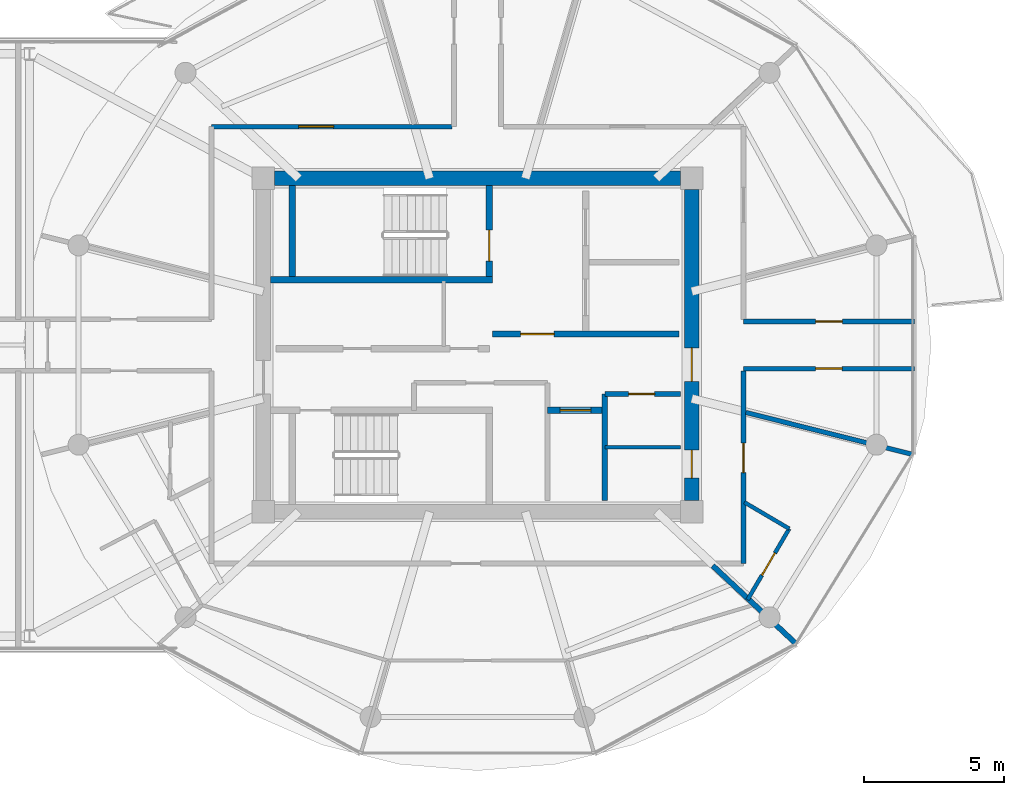
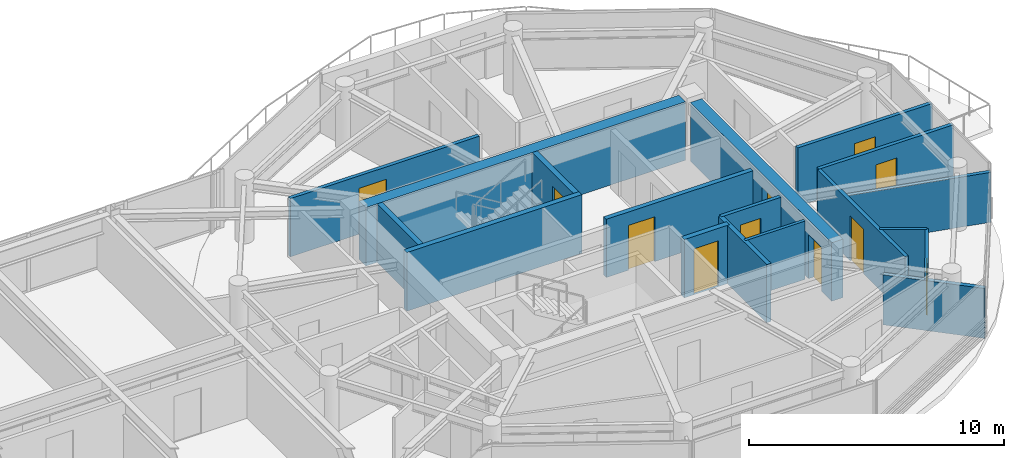
# One storey, part 18 of 23: 18 walls, 11 doors, 11 openings.
"""IFC4 building model written with IfcOpenShell, lengths in metres."""

from ifc_helpers import new_model, si_unit, direction, frame, frame_2d, origin, place, context, subcontext, project, spatial, rectangle, extrude, source, transform, mapped, material, layer, layer_set, type_object, type_shapes, element, fill, save


model = new_model("IFC4")

# Units and contexts
model_context = context("Model", 3, precision=1e-05, world=origin(), true_north=direction((0.0, 1.0)))
body_context = subcontext(model_context, "Body", "Model", "MODEL_VIEW")
ifc_project = project(units=[si_unit("LENGTHUNIT", "METRE"), si_unit("AREAUNIT", "SQUARE_METRE"), si_unit("VOLUMEUNIT", "CUBIC_METRE"), si_unit("PLANEANGLEUNIT", "RADIAN"), si_unit("MASSUNIT", "GRAM", prefix="KILO")], contexts=[model_context])

# Site, building, storey
site_placement = place(None, origin())
site = spatial("IfcSite", under=ifc_project, at=site_placement, CompositionType="ELEMENT")
building_placement = place(site_placement, origin())
building = spatial("IfcBuilding", under=site, at=building_placement, Name="Norrkilde Senior Care Towers", CompositionType="ELEMENT")
storey_placement = place(building_placement, frame((0.0, 0.0, 229.14990234375)))
storey = spatial("IfcBuildingStorey", under=building, at=storey_placement, Name="L71", CompositionType="ELEMENT", Elevation=229.14990234375)

# Wall
ifc_material_1 = material(Name="Concrete C50/60", Category="concrete")
ifc_layer_1 = layer(ifc_material_1, 0.52001953125)
ifc_layer_set_1 = layer_set([ifc_layer_1], Name="Concrete C50/60")
wall_type_1 = type_object("IfcWallType", Name="Core Shear Wall Z4 520", PredefinedType="SHEAR", material=ifc_layer_set_1)
shared_shape_1 = source(origin(), body_context, "Body", "SweptSolid", [
    extrude(rectangle(XDim=14.5, YDim=0.52001953125, at=frame_2d((7.25, 0.0))), origin(), (0.0, 0.0, 1.0), 2.81005859375),
])
wall_1_placement = place(storey_placement, frame((20.75, 5.949951171875, 0.0), z_axis=(0.0, 0.0, 1.0), x_axis=(1.0, 0.0, 0.0)))
element("IfcWall", 1, at=wall_1_placement, inside=storey, type_object=wall_type_1, Name="L71 Core E North Shear Wall", PredefinedType="SHEAR", context=body_context, shape_type="MappedRepresentation", body=[
    mapped(shared_shape_1, transform((0.0, 0.0, 0.0), x_axis=(1.0, 0.0, 0.0), y_axis=(0.0, 1.0, 0.0), z_axis=(0.0, 0.0, 1.0), scale=1.0)),
])

# Wall, openings, doors
shared_shape_2 = source(origin(), body_context, "Body", "SweptSolid", [
    extrude(rectangle(XDim=11.10009765625, YDim=0.52001953125, at=frame_2d((5.550048828125, 0.0))), origin(), (0.0, 0.0, 1.0), 2.81005859375),
])
type_shapes(wall_type_1, [shared_shape_1, shared_shape_2])
wall_2_placement = place(storey_placement, frame((35.64990234375, 5.550048828125, 0.0), z_axis=(0.0, 0.0, 1.0), x_axis=(0.0, -1.0, 0.0)))
wall_2 = element("IfcWall", 2, at=wall_2_placement, inside=storey, type_object=wall_type_1, Name="L71 Core E East Shear Wall", PredefinedType="SHEAR", context=body_context, shape_type="MappedRepresentation", body=[
    mapped(shared_shape_2, transform((0.0, 0.0, 0.0), x_axis=(1.0, 0.0, 0.0), y_axis=(0.0, 1.0, 0.0), z_axis=(0.0, 0.0, 1.0), scale=1.0)),
])
opening_1_placement = place(wall_2_placement, frame((5.64990234375, 0.0, 0.0)))
opening_1 = element("IfcOpeningElement", 3, at=opening_1_placement, cuts=wall_2, Name="Opening D-04", PredefinedType="OPENING", context=body_context, shape_type="SweptSolid", body=[
    extrude(rectangle(XDim=1.199951171875, YDim=2.14990234375, at=frame_2d((0.60009765625, 1.074951171875))), frame((0.0, 0.27001953125, 0.0), z_axis=(0.0, -1.0, 0.0), x_axis=(1.0, 0.0, 0.0)), (0.0, 0.0, 1.0), 0.5400390625),
])
opening_2_placement = place(wall_2_placement, frame((9.300048828125, 0.0, 0.0)))
opening_2 = element("IfcOpeningElement", 4, at=opening_2_placement, cuts=wall_2, Name="Opening D-10", PredefinedType="OPENING", context=body_context, shape_type="SweptSolid", body=[
    extrude(rectangle(XDim=1.0, YDim=2.10009765625, at=frame_2d((0.5, 1.050048828125))), frame((0.0, 0.27001953125, 0.0), z_axis=(0.0, -1.0, 0.0), x_axis=(1.0, 0.0, 0.0)), (0.0, 0.0, 1.0), 0.5400390625),
])
ifc_material_2 = material(Name="Galvanised Painted Steel", Category="steel")
door_type_1 = type_object("IfcDoorType", Name="Firefighting Lobby Fire Door 1200x2150", OperationType="NOTDEFINED", PredefinedType="DOOR", material=ifc_material_2)
shared_shape_3 = source(origin(), body_context, "Body", "SweptSolid", [
    extrude(rectangle(XDim=1.199951171875, YDim=2.14990234375, at=frame_2d((0.60009765625, 1.074951171875))), frame((0.0, 0.02490234375, 0.0), z_axis=(0.0, -1.0, 0.0), x_axis=(1.0, 0.0, 0.0)), (0.0, 0.0, 1.0), 0.050048828125),
])
type_shapes(door_type_1, [shared_shape_3])
door_1_placement = place(opening_1_placement, frame((1.199951171875, 0.0, 0.0), z_axis=(0.0, 0.0, 1.0), x_axis=(-1.0, 0.0, 0.0)))
door_1 = element("IfcDoor", 5, at=door_1_placement, inside=storey, type_object=door_type_1, Name="L71 Core E East Portal Door", OperationType="SINGLE_SWING_RIGHT", OverallHeight=2.14990234375, OverallWidth=1.199951171875, PredefinedType="DOOR", context=body_context, shape_type="MappedRepresentation", body=[
    mapped(shared_shape_3, transform((0.0, 0.0, 0.0), x_axis=(1.0, 0.0, 0.0), y_axis=(0.0, 1.0, 0.0), z_axis=(0.0, 0.0, 1.0), scale=1.0)),
])
fill(opening_1, door_1)
door_type_2 = type_object("IfcDoorType", Name="Plant and Riser Rated Door 1000x2100", OperationType="NOTDEFINED", PredefinedType="DOOR", material=ifc_material_2)
shared_shape_4 = source(origin(), body_context, "Body", "SweptSolid", [
    extrude(rectangle(XDim=1.0, YDim=2.10009765625, at=frame_2d((0.5, 1.050048828125))), frame((0.0, 0.02490234375, 0.0), z_axis=(0.0, -1.0, 0.0), x_axis=(1.0, 0.0, 0.0)), (0.0, 0.0, 1.0), 0.050048828125),
])
type_shapes(door_type_2, [shared_shape_4])
door_2_placement = place(opening_2_placement, frame((1.0, 0.0, 0.0), z_axis=(0.0, 0.0, 1.0), x_axis=(-1.0, 0.0, 0.0)))
door_2 = element("IfcDoor", 6, at=door_2_placement, inside=storey, type_object=door_type_2, Name="L71 Ventilation Riser E Door", OperationType="SINGLE_SWING_RIGHT", OverallHeight=2.10009765625, OverallWidth=1.0, PredefinedType="DOOR", context=body_context, shape_type="MappedRepresentation", body=[
    mapped(shared_shape_4, transform((0.0, 0.0, 0.0), x_axis=(1.0, 0.0, 0.0), y_axis=(0.0, 1.0, 0.0), z_axis=(0.0, 0.0, 1.0), scale=1.0)),
])
fill(opening_2, door_2)

# Wall, opening, door
ifc_material_3 = material(Name="Concrete C45/55", Category="concrete")
ifc_layer_2 = layer(ifc_material_3, 0.2099609375)
ifc_layer_set_2 = layer_set([ifc_layer_2], Name="Concrete C45/55")
wall_type_2 = type_object("IfcWallType", Name="Firefighting Lobby Wall 210", PredefinedType="PARTITIONING", material=ifc_layer_set_2)
shared_shape_5 = source(origin(), body_context, "Body", "SweptSolid", [
    extrude(rectangle(XDim=6.659912109375, YDim=0.2099609375, at=frame_2d((3.330078125, 0.0))), origin(), (0.0, 0.0, 1.0), 2.795166015625),
])
type_shapes(wall_type_2, [shared_shape_5])
wall_3_placement = place(storey_placement, frame((28.5400390625, 0.389892578125, 0.0), z_axis=(0.0, 0.0, 1.0), x_axis=(1.0, 0.0, 0.0)))
wall_3 = element("IfcWall", 7, at=wall_3_placement, inside=storey, type_object=wall_type_2, Name="WL-INT-L71-E-FFLS", PredefinedType="PARTITIONING", context=body_context, shape_type="MappedRepresentation", body=[
    mapped(shared_shape_5, transform((0.0, 0.0, 0.0), x_axis=(1.0, 0.0, 0.0), y_axis=(0.0, 1.0, 0.0), z_axis=(0.0, 0.0, 1.0), scale=1.0)),
])
opening_3_placement = place(wall_3_placement, frame((1.0, 0.0, 0.0)))
opening_3 = element("IfcOpeningElement", 8, at=opening_3_placement, cuts=wall_3, Name="Opening D-04", PredefinedType="OPENING", context=body_context, shape_type="SweptSolid", body=[
    extrude(rectangle(XDim=1.199951171875, YDim=2.14990234375, at=frame_2d((0.60009765625, 1.074951171875))), frame((0.0, 0.114990234375, 0.0), z_axis=(0.0, -1.0, 0.0), x_axis=(1.0, 0.0, 0.0)), (0.0, 0.0, 1.0), 0.22998046875),
])
door_3_placement = place(opening_3_placement, frame((1.199951171875, 0.0, 0.0), z_axis=(0.0, 0.0, 1.0), x_axis=(-1.0, 0.0, 0.0)))
door_3 = element("IfcDoor", 9, at=door_3_placement, inside=storey, type_object=door_type_1, Name="L71 Firefighting Lobby E Door", OperationType="SINGLE_SWING_LEFT", OverallHeight=2.14990234375, OverallWidth=1.199951171875, PredefinedType="DOOR", context=body_context, shape_type="MappedRepresentation", body=[
    mapped(shared_shape_3, transform((0.0, 0.0, 0.0), x_axis=(1.0, 0.0, 0.0), y_axis=(0.0, 1.0, 0.0), z_axis=(0.0, 0.0, 1.0), scale=1.0)),
])
fill(opening_3, door_3)

# Wall
ifc_layer_3 = layer(ifc_material_3, 0.199951171875)
ifc_layer_set_3 = layer_set([ifc_layer_3], Name="Concrete C45/55")
wall_type_3 = type_object("IfcWallType", Name="Shaft Division and Plant Partition 200", PredefinedType="PARTITIONING", material=ifc_layer_set_3)
shared_shape_6 = source(origin(), body_context, "Body", "SweptSolid", [
    extrude(rectangle(XDim=3.800048828125, YDim=0.199951171875, at=frame_2d((1.89990234375, 0.0))), origin(), (0.0, 0.0, 1.0), 2.795166015625),
])
type_shapes(wall_type_3, [shared_shape_6])
wall_4_placement = place(storey_placement, frame((32.550048828125, -5.550048828125, 0.0), z_axis=(0.0, 0.0, 1.0), x_axis=(0.0, 1.0, 0.0)))
element("IfcWall", 10, at=wall_4_placement, inside=storey, type_object=wall_type_3, Name="WL-INT-L71-E-PKBE", PredefinedType="PARTITIONING", context=body_context, shape_type="MappedRepresentation", body=[
    mapped(shared_shape_6, transform((0.0, 0.0, 0.0), x_axis=(1.0, 0.0, 0.0), y_axis=(0.0, 1.0, 0.0), z_axis=(0.0, 0.0, 1.0), scale=1.0)),
])

# Wall, opening, door
ifc_material_4 = material(Name="Gypsum Acoustic Board")
ifc_layer_4 = layer(ifc_material_4, 0.1650390625)
ifc_layer_set_4 = layer_set([ifc_layer_4], Name="Gypsum Acoustic Board")
wall_type_4 = type_object("IfcWallType", Name="Corridor Rated Partition 165", PredefinedType="PARTITIONING", material=ifc_layer_set_4)
shared_shape_7 = source(origin(), body_context, "Body", "SweptSolid", [
    extrude(rectangle(XDim=2.699951171875, YDim=0.1650390625, at=frame_2d((1.35009765625, 0.0))), origin(), (0.0, 0.0, 1.0), 2.795166015625),
])
wall_5_placement = place(storey_placement, frame((32.550048828125, -1.75, 0.0), z_axis=(0.0, 0.0, 1.0), x_axis=(1.0, 0.0, 0.0)))
wall_5 = element("IfcWall", 11, at=wall_5_placement, inside=storey, type_object=wall_type_4, Name="WL-INT-L71-E-CSN", PredefinedType="PARTITIONING", context=body_context, shape_type="MappedRepresentation", body=[
    mapped(shared_shape_7, transform((0.0, 0.0, 0.0), x_axis=(1.0, 0.0, 0.0), y_axis=(0.0, 1.0, 0.0), z_axis=(0.0, 0.0, 1.0), scale=1.0)),
])
opening_4_placement = place(wall_5_placement, frame((0.85009765625, 0.0, 0.0)))
opening_4 = element("IfcOpeningElement", 12, at=opening_4_placement, cuts=wall_5, Name="Opening D-12", PredefinedType="OPENING", context=body_context, shape_type="SweptSolid", body=[
    extrude(rectangle(XDim=0.925048828125, YDim=2.10009765625, at=frame_2d((0.46240234375, 1.050048828125))), frame((0.0, 0.092529296875, 0.0), z_axis=(0.0, -1.0, 0.0), x_axis=(1.0, 0.0, 0.0)), (0.0, 0.0, 1.0), 0.18505859375),
])
door_type_3 = type_object("IfcDoorType", Name="Core Wet Room Rated Door 925x2100", OperationType="NOTDEFINED", PredefinedType="DOOR", material=ifc_material_2)
shared_shape_8 = source(origin(), body_context, "Body", "SweptSolid", [
    extrude(rectangle(XDim=0.925048828125, YDim=2.10009765625, at=frame_2d((0.46240234375, 1.050048828125))), frame((0.0, 0.02490234375, 0.0), z_axis=(0.0, -1.0, 0.0), x_axis=(1.0, 0.0, 0.0)), (0.0, 0.0, 1.0), 0.050048828125),
])
type_shapes(door_type_3, [shared_shape_8])
door_4_placement = place(opening_4_placement, origin())
door_4 = element("IfcDoor", 13, at=door_4_placement, inside=storey, type_object=door_type_3, Name="L71 Staff WC E Door", OperationType="SINGLE_SWING_LEFT", OverallHeight=2.10009765625, OverallWidth=0.925048828125, PredefinedType="DOOR", context=body_context, shape_type="MappedRepresentation", body=[
    mapped(shared_shape_8, transform((0.0, 0.0, 0.0), x_axis=(1.0, 0.0, 0.0), y_axis=(0.0, 1.0, 0.0), z_axis=(0.0, 0.0, 1.0), scale=1.0)),
])
fill(opening_4, door_4)

shared_shape_9 = source(origin(), body_context, "Body", "SweptSolid", [
    extrude(rectangle(XDim=8.580078125, YDim=0.1650390625, at=frame_2d((4.2900390625, 0.0))), origin(), (0.0, 0.0, 1.0), 2.795166015625),
])
wall_6_placement = place(storey_placement, frame((18.5, 7.800048828125, 0.0), z_axis=(0.0, 0.0, 1.0), x_axis=(1.0, 0.0, 0.0)))
wall_6 = element("IfcWall", 14, at=wall_6_placement, inside=storey, type_object=wall_type_4, Name="WL-INT-L71-E-CRW-N-0", PredefinedType="PARTITIONING", context=body_context, shape_type="MappedRepresentation", body=[
    mapped(shared_shape_9, transform((0.0, 0.0, 0.0), x_axis=(1.0, 0.0, 0.0), y_axis=(0.0, 1.0, 0.0), z_axis=(0.0, 0.0, 1.0), scale=1.0)),
])
opening_5_placement = place(wall_6_placement, frame((3.110107421875, 0.0, 0.0)))
opening_5 = element("IfcOpeningElement", 15, at=opening_5_placement, cuts=wall_6, Name="Opening D-05", PredefinedType="OPENING", context=body_context, shape_type="SweptSolid", body=[
    extrude(rectangle(XDim=1.25, YDim=2.199951171875, at=frame_2d((0.625, 1.10009765625))), frame((0.0, 0.092529296875, 0.0), z_axis=(0.0, -1.0, 0.0), x_axis=(1.0, 0.0, 0.0)), (0.0, 0.0, 1.0), 0.18505859375),
])
ifc_material_5 = material(Name="Nordic Ash Timber", Category="wood")
door_type_4 = type_object("IfcDoorType", Name="Care Bedroom Bariatric Door 1250x2200", OperationType="NOTDEFINED", PredefinedType="DOOR", material=ifc_material_5)
shared_shape_10 = source(origin(), body_context, "Body", "SweptSolid", [
    extrude(rectangle(XDim=1.25, YDim=2.199951171875, at=frame_2d((0.625, 1.10009765625))), frame((0.0, 0.02490234375, 0.0), z_axis=(0.0, -1.0, 0.0), x_axis=(1.0, 0.0, 0.0)), (0.0, 0.0, 1.0), 0.050048828125),
])
type_shapes(door_type_4, [shared_shape_10])
door_5_placement = place(opening_5_placement, frame((1.25, 0.0, 0.0), z_axis=(0.0, 0.0, 1.0), x_axis=(-1.0, 0.0, 0.0)))
door_5 = element("IfcDoor", 16, at=door_5_placement, inside=storey, type_object=door_type_4, Name="L71 Care Coordination Charting Office Door", OperationType="SINGLE_SWING_RIGHT", OverallHeight=2.199951171875, OverallWidth=1.25, PredefinedType="DOOR", context=body_context, shape_type="MappedRepresentation", body=[
    mapped(shared_shape_10, transform((0.0, 0.0, 0.0), x_axis=(1.0, 0.0, 0.0), y_axis=(0.0, 1.0, 0.0), z_axis=(0.0, 0.0, 1.0), scale=1.0)),
])
fill(opening_5, door_5)

shared_shape_11 = source(origin(), body_context, "Body", "SweptSolid", [
    extrude(rectangle(XDim=6.880126953125, YDim=0.1650390625, at=frame_2d((3.43994140625, 0.0))), origin(), (0.0, 0.0, 1.0), 2.795166015625),
])
wall_7_placement = place(storey_placement, frame((37.5, -0.919921875, 0.0), z_axis=(0.0, 0.0, 1.0), x_axis=(0.0, -1.0, 0.0)))
wall_7 = element("IfcWall", 17, at=wall_7_placement, inside=storey, type_object=wall_type_4, Name="WL-INT-L71-E-CRW-E-1", PredefinedType="PARTITIONING", context=body_context, shape_type="MappedRepresentation", body=[
    mapped(shared_shape_11, transform((0.0, 0.0, 0.0), x_axis=(1.0, 0.0, 0.0), y_axis=(0.0, 1.0, 0.0), z_axis=(0.0, 0.0, 1.0), scale=1.0)),
])
opening_6_placement = place(wall_7_placement, frame((2.5859375, 0.0, 0.0)))
opening_6 = element("IfcOpeningElement", 18, at=opening_6_placement, cuts=wall_7, Name="Opening D-06", PredefinedType="OPENING", context=body_context, shape_type="SweptSolid", body=[
    extrude(rectangle(XDim=1.050048828125, YDim=2.14990234375, at=frame_2d((0.52490234375, 1.074951171875))), frame((0.0, 0.092529296875, 0.0), z_axis=(0.0, -1.0, 0.0), x_axis=(1.0, 0.0, 0.0)), (0.0, 0.0, 1.0), 0.18505859375),
])
door_type_5 = type_object("IfcDoorType", Name="Apartment Entrance Fire Door 1050x2150", OperationType="NOTDEFINED", PredefinedType="DOOR", material=ifc_material_5)
shared_shape_12 = source(origin(), body_context, "Body", "SweptSolid", [
    extrude(rectangle(XDim=1.050048828125, YDim=2.14990234375, at=frame_2d((0.52490234375, 1.074951171875))), frame((0.0, 0.02490234375, 0.0), z_axis=(0.0, -1.0, 0.0), x_axis=(1.0, 0.0, 0.0)), (0.0, 0.0, 1.0), 0.050048828125),
])
type_shapes(door_type_5, [shared_shape_12])
door_6_placement = place(opening_6_placement, frame((1.050048828125, 0.0, 0.0), z_axis=(0.0, 0.0, 1.0), x_axis=(-1.0, 0.0, 0.0)))
door_6 = element("IfcDoor", 19, at=door_6_placement, inside=storey, type_object=door_type_5, Name="L71 Studio 71E Entrance Door", OperationType="SINGLE_SWING_LEFT", OverallHeight=2.14990234375, OverallWidth=1.050048828125, PredefinedType="DOOR", context=body_context, shape_type="MappedRepresentation", body=[
    mapped(shared_shape_12, transform((0.0, 0.0, 0.0), x_axis=(1.0, 0.0, 0.0), y_axis=(0.0, 1.0, 0.0), z_axis=(0.0, 0.0, 1.0), scale=1.0)),
])
fill(opening_6, door_6)

ifc_layer_5 = layer(ifc_material_3, 0.239990234375)
ifc_layer_set_5 = layer_set([ifc_layer_5], Name="Concrete C45/55")
wall_type_5 = type_object("IfcWallType", Name="Lift and Plant Rated Enclosure Partition 240", PredefinedType="PARTITIONING", material=ifc_layer_set_5)
shared_shape_13 = source(origin(), body_context, "Body", "SweptSolid", [
    extrude(rectangle(XDim=2.050048828125, YDim=0.239990234375, at=frame_2d((1.02490234375, 0.0))), origin(), (0.0, 0.0, 1.0), 2.795166015625),
])
type_shapes(wall_type_5, [shared_shape_13])
wall_8_placement = place(storey_placement, frame((30.5, -2.330078125, 0.0), z_axis=(0.0, 0.0, 1.0), x_axis=(1.0, 0.0, 0.0)))
wall_8 = element("IfcWall", 20, at=wall_8_placement, inside=storey, type_object=wall_type_5, Name="WL-INT-L71-E-PL4N", PredefinedType="PARTITIONING", context=body_context, shape_type="MappedRepresentation", body=[
    mapped(shared_shape_13, transform((0.0, 0.0, 0.0), x_axis=(1.0, 0.0, 0.0), y_axis=(0.0, 1.0, 0.0), z_axis=(0.0, 0.0, 1.0), scale=1.0)),
])
opening_7_placement = place(wall_8_placement, frame((0.449951171875, 0.0, 0.0)))
opening_7 = element("IfcOpeningElement", 21, at=opening_7_placement, cuts=wall_8, Name="Opening LD-01", PredefinedType="OPENING", context=body_context, shape_type="SweptSolid", body=[
    extrude(rectangle(XDim=1.10009765625, YDim=2.199951171875, at=frame_2d((0.550048828125, 1.10009765625))), frame((0.0, 0.1298828125, 0.0), z_axis=(0.0, -1.0, 0.0), x_axis=(1.0, 0.0, 0.0)), (0.0, 0.0, 1.0), 0.260009765625),
])
ifc_material_6 = material(Name="Stainless Steel", Category="steel")
door_type_6 = type_object("IfcDoorType", Name="Lift Landing Sliding Door 1100x2200", OperationType="NOTDEFINED", PredefinedType="DOOR", material=ifc_material_6)
shared_shape_14 = source(origin(), body_context, "Body", "SweptSolid", [
    extrude(rectangle(XDim=1.10009765625, YDim=2.199951171875, at=frame_2d((0.550048828125, 1.10009765625))), frame((0.0, 0.02490234375, 0.0), z_axis=(0.0, -1.0, 0.0), x_axis=(1.0, 0.0, 0.0)), (0.0, 0.0, 1.0), 0.050048828125),
])
type_shapes(door_type_6, [shared_shape_14])
door_7_placement = place(opening_7_placement, frame((1.10009765625, 0.0, 0.0), z_axis=(0.0, 0.0, 1.0), x_axis=(-1.0, 0.0, 0.0)))
door_7 = element("IfcDoor", 22, at=door_7_placement, inside=storey, type_object=door_type_6, Name="L71 Passenger Lift E4 Landing Door", OperationType="SLIDING_TO_RIGHT", OverallHeight=2.199951171875, OverallWidth=1.10009765625, PredefinedType="DOOR", context=body_context, shape_type="MappedRepresentation", body=[
    mapped(shared_shape_14, transform((0.0, 0.0, 0.0), x_axis=(1.0, 0.0, 0.0), y_axis=(0.0, 1.0, 0.0), z_axis=(0.0, 0.0, 1.0), scale=1.0)),
])
fill(opening_7, door_7)

# Walls
ifc_layer_6 = layer(ifc_material_4, 0.139892578125)
ifc_layer_set_6 = layer_set([ifc_layer_6], Name="Gypsum Acoustic Board")
wall_type_6 = type_object("IfcWallType", Name="En-suite Wet Room Wall 140", PredefinedType="PARTITIONING", material=ifc_layer_set_6)
shared_shape_15 = source(origin(), body_context, "Body", "SweptSolid", [
    extrude(rectangle(XDim=2.699951171875, YDim=0.139892578125, at=frame_2d((1.35009765625, 0.0))), origin(), (0.0, 0.0, 1.0), 2.795166015625),
])
wall_9_placement = place(storey_placement, frame((32.550048828125, -3.64990234375, 0.0), z_axis=(0.0, 0.0, 1.0), x_axis=(1.0, 0.0, 0.0)))
element("IfcWall", 23, at=wall_9_placement, inside=storey, type_object=wall_type_6, Name="WL-INT-L71-E-CS2H", PredefinedType="PARTITIONING", context=body_context, shape_type="MappedRepresentation", body=[
    mapped(shared_shape_15, transform((0.0, 0.0, 0.0), x_axis=(1.0, 0.0, 0.0), y_axis=(0.0, 1.0, 0.0), z_axis=(0.0, 0.0, 1.0), scale=1.0)),
])
ifc_layer_7 = layer(ifc_material_3, 0.239990234375)
ifc_layer_set_7 = layer_set([ifc_layer_7], Name="Concrete C45/55")
wall_type_7 = type_object("IfcWallType", Name="Shaft and Stair Enclosure Wall 240", PredefinedType="PARTITIONING", material=ifc_layer_set_7)
shared_shape_16 = source(origin(), body_context, "Body", "SweptSolid", [
    extrude(rectangle(XDim=7.929931640625, YDim=0.239990234375, at=frame_2d((3.96484375, 0.0))), origin(), (0.0, 0.0, 1.0), 2.81005859375),
])
wall_10_placement = place(storey_placement, frame((20.610107421875, 2.330078125, 0.0), z_axis=(0.0, 0.0, 1.0), x_axis=(1.0, 0.0, 0.0)))
element("IfcWall", 24, at=wall_10_placement, inside=storey, type_object=wall_type_7, Name="WL-INT-L71-E-ST1S", PredefinedType="PARTITIONING", context=body_context, shape_type="MappedRepresentation", body=[
    mapped(shared_shape_16, transform((0.0, 0.0, 0.0), x_axis=(1.0, 0.0, 0.0), y_axis=(0.0, 1.0, 0.0), z_axis=(0.0, 0.0, 1.0), scale=1.0)),
])
shared_shape_17 = source(origin(), body_context, "Body", "SweptSolid", [
    extrude(rectangle(XDim=3.239990234375, YDim=0.239990234375, at=frame_2d((1.6201171875, 0.0))), origin(), (0.0, 0.0, 1.0), 2.81005859375),
])
type_shapes(wall_type_7, [shared_shape_16, shared_shape_17])
wall_11_placement = place(storey_placement, frame((21.3798828125, 2.449951171875, 0.0), z_axis=(0.0, 0.0, 1.0), x_axis=(0.0, 1.0, 0.0)))
element("IfcWall", 25, at=wall_11_placement, inside=storey, type_object=wall_type_7, Name="WL-INT-L71-E-ST1W", PredefinedType="PARTITIONING", context=body_context, shape_type="MappedRepresentation", body=[
    mapped(shared_shape_17, transform((0.0, 0.0, 0.0), x_axis=(1.0, 0.0, 0.0), y_axis=(0.0, 1.0, 0.0), z_axis=(0.0, 0.0, 1.0), scale=1.0)),
])

# Wall, opening, door
wall_12_placement = place(storey_placement, frame((28.419921875, 2.449951171875, 0.0), z_axis=(0.0, 0.0, 1.0), x_axis=(0.0, 1.0, 0.0)))
wall_12 = element("IfcWall", 26, at=wall_12_placement, inside=storey, type_object=wall_type_7, Name="WL-INT-L71-E-ST1E", PredefinedType="PARTITIONING", context=body_context, shape_type="MappedRepresentation", body=[
    mapped(shared_shape_17, transform((0.0, 0.0, 0.0), x_axis=(1.0, 0.0, 0.0), y_axis=(0.0, 1.0, 0.0), z_axis=(0.0, 0.0, 1.0), scale=1.0)),
])
opening_8_placement = place(wall_12_placement, frame((0.550048828125, 0.0, 0.0)))
opening_8 = element("IfcOpeningElement", 27, at=opening_8_placement, cuts=wall_12, Name="Opening D-03", PredefinedType="OPENING", context=body_context, shape_type="SweptSolid", body=[
    extrude(rectangle(XDim=1.10009765625, YDim=2.14990234375, at=frame_2d((0.550048828125, 1.074951171875))), frame((0.0, 0.1298828125, 0.0), z_axis=(0.0, -1.0, 0.0), x_axis=(1.0, 0.0, 0.0)), (0.0, 0.0, 1.0), 0.260009765625),
])
door_type_7 = type_object("IfcDoorType", Name="Stairwell Protected Fire Door 1100x2150", OperationType="NOTDEFINED", PredefinedType="DOOR", material=ifc_material_2)
shared_shape_18 = source(origin(), body_context, "Body", "SweptSolid", [
    extrude(rectangle(XDim=1.10009765625, YDim=2.14990234375, at=frame_2d((0.550048828125, 1.074951171875))), frame((0.0, 0.02490234375, 0.0), z_axis=(0.0, -1.0, 0.0), x_axis=(1.0, 0.0, 0.0)), (0.0, 0.0, 1.0), 0.050048828125),
])
type_shapes(door_type_7, [shared_shape_18])
door_8_placement = place(opening_8_placement, origin())
door_8 = element("IfcDoor", 28, at=door_8_placement, inside=storey, type_object=door_type_7, Name="L71 Stair E1 Fire Door", OperationType="SINGLE_SWING_LEFT", OverallHeight=2.14990234375, OverallWidth=1.10009765625, PredefinedType="DOOR", context=body_context, shape_type="MappedRepresentation", body=[
    mapped(shared_shape_18, transform((0.0, 0.0, 0.0), x_axis=(1.0, 0.0, 0.0), y_axis=(0.0, 1.0, 0.0), z_axis=(0.0, 0.0, 1.0), scale=1.0)),
])
fill(opening_8, door_8)

# Wall
shared_shape_19 = source(origin(), body_context, "Body", "SweptSolid", [
    extrude(rectangle(XDim=6.1572265625, YDim=0.1650390625, at=frame_2d((3.07861328125, 0.0))), origin(), (0.0, 0.0, 1.0), 2.39501953125),
])
wall_13_placement = place(storey_placement, frame((37.580078125, -2.407470703125, 0.0), z_axis=(0.0, 0.0, 1.0), x_axis=(0.969840867184, -0.243738984038, 0.0)))
element("IfcWall", 29, at=wall_13_placement, inside=storey, type_object=wall_type_4, Name="WL-INT-L71-E-DEM-11-0", PredefinedType="PARTITIONING", context=body_context, shape_type="MappedRepresentation", body=[
    mapped(shared_shape_19, transform((0.0, 0.0, 0.0), x_axis=(1.0, 0.0, 0.0), y_axis=(0.0, 1.0, 0.0), z_axis=(0.0, 0.0, 1.0), scale=1.0)),
])

# Wall, opening, door
shared_shape_20 = source(origin(), body_context, "Body", "SweptSolid", [
    extrude(rectangle(XDim=6.101318359375, YDim=0.1650390625, at=frame_2d((3.05078125, 0.0))), origin(), (0.0, 0.0, 1.0), 2.795166015625),
])
type_shapes(wall_type_4, [shared_shape_7, shared_shape_9, shared_shape_11, shared_shape_19, shared_shape_20])
wall_14_placement = place(storey_placement, frame((37.5, 0.840087890625, 0.0), z_axis=(0.0, 0.0, 1.0), x_axis=(1.0, 0.0, 0.0)))
wall_14 = element("IfcWall", 30, at=wall_14_placement, inside=storey, type_object=wall_type_4, Name="WL-INT-L71-E-SPK-E1-0", PredefinedType="PARTITIONING", context=body_context, shape_type="MappedRepresentation", body=[
    mapped(shared_shape_20, transform((0.0, 0.0, 0.0), x_axis=(1.0, 0.0, 0.0), y_axis=(0.0, 1.0, 0.0), z_axis=(0.0, 0.0, 1.0), scale=1.0)),
])
opening_9_placement = place(wall_14_placement, frame((2.57568359375, 0.0, 0.0)))
opening_9 = element("IfcOpeningElement", 31, at=opening_9_placement, cuts=wall_14, Name="Opening D-07", PredefinedType="OPENING", context=body_context, shape_type="SweptSolid", body=[
    extrude(rectangle(XDim=0.949951171875, YDim=2.10009765625, at=frame_2d((0.47509765625, 1.050048828125))), frame((0.0, 0.092529296875, 0.0), z_axis=(0.0, -1.0, 0.0), x_axis=(1.0, 0.0, 0.0)), (0.0, 0.0, 1.0), 0.18505859375),
])
door_type_8 = type_object("IfcDoorType", Name="Internal Suite Bedroom Door 950x2100", OperationType="NOTDEFINED", PredefinedType="DOOR", material=ifc_material_5)
shared_shape_21 = source(origin(), body_context, "Body", "SweptSolid", [
    extrude(rectangle(XDim=0.949951171875, YDim=2.10009765625, at=frame_2d((0.47509765625, 1.050048828125))), frame((0.0, 0.02490234375, 0.0), z_axis=(0.0, -1.0, 0.0), x_axis=(1.0, 0.0, 0.0)), (0.0, 0.0, 1.0), 0.050048828125),
])
type_shapes(door_type_8, [shared_shape_21])
door_9_placement = place(opening_9_placement, frame((0.949951171875, 0.0, 0.0), z_axis=(0.0, 0.0, 1.0), x_axis=(-1.0, 0.0, 0.0)))
door_9 = element("IfcDoor", 32, at=door_9_placement, inside=storey, type_object=door_type_8, Name="L71 Sun Reading Lounge 6 Door", OperationType="SINGLE_SWING_LEFT", OverallHeight=2.10009765625, OverallWidth=0.949951171875, PredefinedType="DOOR", context=body_context, shape_type="MappedRepresentation", body=[
    mapped(shared_shape_21, transform((0.0, 0.0, 0.0), x_axis=(1.0, 0.0, 0.0), y_axis=(0.0, 1.0, 0.0), z_axis=(0.0, 0.0, 1.0), scale=1.0)),
])
fill(opening_9, door_9)

wall_15_placement = place(storey_placement, frame((43.601318359375, -0.840087890625, 0.0), z_axis=(0.0, 0.0, 1.0), x_axis=(-1.0, 0.0, 0.0)))
wall_15 = element("IfcWall", 33, at=wall_15_placement, inside=storey, type_object=wall_type_4, Name="WL-INT-L71-E-SPK-E2-0", PredefinedType="PARTITIONING", context=body_context, shape_type="MappedRepresentation", body=[
    mapped(shared_shape_20, transform((0.0, 0.0, 0.0), x_axis=(1.0, 0.0, 0.0), y_axis=(0.0, 1.0, 0.0), z_axis=(0.0, 0.0, 1.0), scale=1.0)),
])
opening_10_placement = place(wall_15_placement, frame((2.57568359375, 0.0, 0.0)))
opening_10 = element("IfcOpeningElement", 34, at=opening_10_placement, cuts=wall_15, Name="Opening D-07", PredefinedType="OPENING", context=body_context, shape_type="SweptSolid", body=[
    extrude(rectangle(XDim=0.949951171875, YDim=2.10009765625, at=frame_2d((0.47509765625, 1.050048828125))), frame((0.0, 0.092529296875, 0.0), z_axis=(0.0, -1.0, 0.0), x_axis=(1.0, 0.0, 0.0)), (0.0, 0.0, 1.0), 0.18505859375),
])
door_10_placement = place(opening_10_placement, frame((0.949951171875, 0.0, 0.0), z_axis=(0.0, 0.0, 1.0), x_axis=(-1.0, 0.0, 0.0)))
door_10 = element("IfcDoor", 35, at=door_10_placement, inside=storey, type_object=door_type_8, Name="L71 Sun Reading Lounge 5 Door", OperationType="SINGLE_SWING_RIGHT", OverallHeight=2.10009765625, OverallWidth=0.949951171875, PredefinedType="DOOR", context=body_context, shape_type="MappedRepresentation", body=[
    mapped(shared_shape_21, transform((0.0, 0.0, 0.0), x_axis=(1.0, 0.0, 0.0), y_axis=(0.0, 1.0, 0.0), z_axis=(0.0, 0.0, 1.0), scale=1.0)),
])
fill(opening_10, door_10)

# Walls
ifc_layer_8 = layer(ifc_material_4, 0.18994140625)
ifc_layer_set_8 = layer_set([ifc_layer_8], Name="Gypsum Acoustic Board")
wall_type_8 = type_object("IfcWallType", Name="Unit Demising Acoustic Wall 190", PredefinedType="PARTITIONING", material=ifc_layer_set_8)
shared_shape_22 = source(origin(), body_context, "Body", "SweptSolid", [
    extrude(rectangle(XDim=4.089111328125, YDim=0.18994140625, at=frame_2d((2.04443359375, 0.0))), origin(), (0.0, 0.0, 1.0), 2.39501953125),
])
type_shapes(wall_type_8, [shared_shape_22])
wall_16_placement = place(storey_placement, frame((36.40185546875, -7.8798828125, 0.0), z_axis=(0.0, 0.0, 1.0), x_axis=(0.729401273609, -0.684086092577, 0.0)))
element("IfcWall", 36, at=wall_16_placement, inside=storey, type_object=wall_type_8, Name="WL-INT-L71-E-DEM-10-0", PredefinedType="PARTITIONING", context=body_context, shape_type="MappedRepresentation", body=[
    mapped(shared_shape_22, transform((0.0, 0.0, 0.0), x_axis=(1.0, 0.0, 0.0), y_axis=(0.0, 1.0, 0.0), z_axis=(0.0, 0.0, 1.0), scale=1.0)),
])
shared_shape_23 = source(origin(), body_context, "Body", "SweptSolid", [
    extrude(rectangle(XDim=1.859130859375, YDim=0.139892578125, at=frame_2d((0.9296875, 0.0))), origin(), (0.0, 0.0, 1.0), 2.795166015625),
])
wall_17_placement = place(storey_placement, frame((37.530029296875, -5.615478515625, 0.0), z_axis=(0.0, 0.0, 1.0), x_axis=(0.861555897139, -0.507662718845, 0.0)))
element("IfcWall", 37, at=wall_17_placement, inside=storey, type_object=wall_type_6, Name="WL-INT-L71-E-ES-10", PredefinedType="PARTITIONING", context=body_context, shape_type="MappedRepresentation", body=[
    mapped(shared_shape_23, transform((0.0, 0.0, 0.0), x_axis=(1.0, 0.0, 0.0), y_axis=(0.0, 1.0, 0.0), z_axis=(0.0, 0.0, 1.0), scale=1.0)),
])

# Wall, opening, door
shared_shape_24 = source(origin(), body_context, "Body", "SweptSolid", [
    extrude(rectangle(XDim=2.939453125, YDim=0.139892578125, at=frame_2d((1.4697265625, 0.0))), origin(), (0.0, 0.0, 1.0), 2.795166015625),
])
type_shapes(wall_type_6, [shared_shape_15, shared_shape_23, shared_shape_24])
wall_18_placement = place(storey_placement, frame((39.1318359375, -6.559326171875, 0.0), z_axis=(0.0, 0.0, 1.0), x_axis=(-0.505883614636, -0.862601743821, 0.0)))
wall_18 = element("IfcWall", 38, at=wall_18_placement, inside=storey, type_object=wall_type_6, Name="WL-INT-L71-E-EF-10", PredefinedType="PARTITIONING", context=body_context, shape_type="MappedRepresentation", body=[
    mapped(shared_shape_24, transform((0.0, 0.0, 0.0), x_axis=(1.0, 0.0, 0.0), y_axis=(0.0, 1.0, 0.0), z_axis=(0.0, 0.0, 1.0), scale=1.0)),
])
opening_11_placement = place(wall_18_placement, frame((1.009765625, 0.0, 0.0)))
opening_11 = element("IfcOpeningElement", 39, at=opening_11_placement, cuts=wall_18, Name="Opening D-08", PredefinedType="OPENING", context=body_context, shape_type="SweptSolid", body=[
    extrude(rectangle(XDim=0.919921875, YDim=2.10009765625, at=frame_2d((0.4599609375, 1.050048828125))), frame((0.0, 0.079833984375, 0.0), z_axis=(0.0, -1.0, 0.0), x_axis=(1.0, 0.0, 0.0)), (0.0, 0.0, 1.0), 0.159912109375),
])
door_type_9 = type_object("IfcDoorType", Name="Accessible Wet Room Door 920x2100", OperationType="NOTDEFINED", PredefinedType="DOOR", material=ifc_material_5)
shared_shape_25 = source(origin(), body_context, "Body", "SweptSolid", [
    extrude(rectangle(XDim=0.919921875, YDim=2.10009765625, at=frame_2d((0.4599609375, 1.050048828125))), frame((0.0, 0.02490234375, 0.0), z_axis=(0.0, -1.0, 0.0), x_axis=(1.0, 0.0, 0.0)), (0.0, 0.0, 1.0), 0.050048828125),
])
type_shapes(door_type_9, [shared_shape_25])
door_11_placement = place(opening_11_placement, origin())
door_11 = element("IfcDoor", 40, at=door_11_placement, inside=storey, type_object=door_type_9, Name="L71 Studio 71E Bathroom Door", OperationType="SINGLE_SWING_RIGHT", OverallHeight=2.10009765625, OverallWidth=0.919921875, PredefinedType="DOOR", context=body_context, shape_type="MappedRepresentation", body=[
    mapped(shared_shape_25, transform((0.0, 0.0, 0.0), x_axis=(1.0, 0.0, 0.0), y_axis=(0.0, 1.0, 0.0), z_axis=(0.0, 0.0, 1.0), scale=1.0)),
])
fill(opening_11, door_11)

save(model, "model.ifc")
